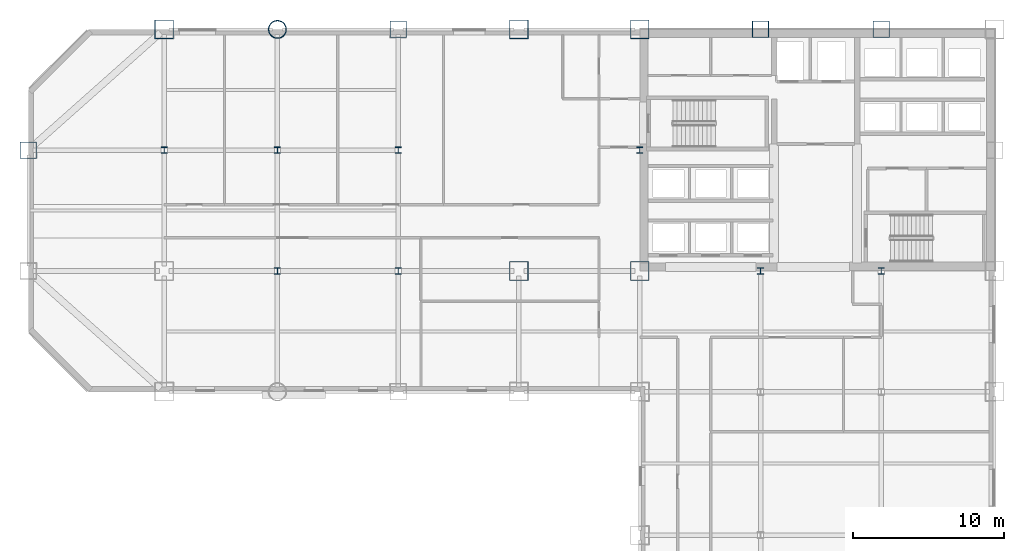
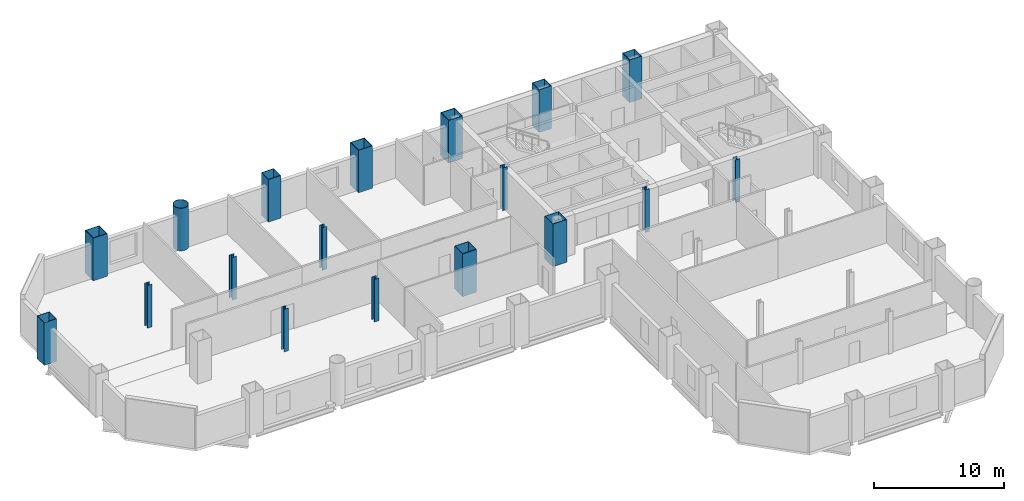
# One storey, part 2 of 9: 18 columns.
"""IFC4 building model written with IfcOpenShell, lengths in metres."""

from ifc_helpers import new_model, si_unit, direction, frame, origin, origin_2d, place, context, subcontext, project, spatial, hollow_rectangle, hollow_circle, i_section, extrude, material, material_profile, profile_set, type_object, element, save


model = new_model("IFC4")

# Units and contexts
model_context = context("Model", 3, precision=1e-05, world=origin(), true_north=direction((0.0, 1.0)))
body_context = subcontext(model_context, "Body", "Model", "MODEL_VIEW")
ifc_project = project(units=[si_unit("LENGTHUNIT", "METRE"), si_unit("AREAUNIT", "SQUARE_METRE"), si_unit("VOLUMEUNIT", "CUBIC_METRE"), si_unit("PLANEANGLEUNIT", "RADIAN"), si_unit("MASSUNIT", "GRAM", prefix="KILO")], contexts=[model_context])

# Site, building, storey
site_placement = place(None, origin())
site = spatial("IfcSite", under=ifc_project, at=site_placement, CompositionType="ELEMENT")
building_placement = place(site_placement, origin())
building = spatial("IfcBuilding", under=site, at=building_placement, Name="Qianrong Seaharbour Tower", CompositionType="ELEMENT")
storey_placement = place(building_placement, frame((0.0, 0.0, 84.199951171875)))
storey = spatial("IfcBuildingStorey", under=building, at=storey_placement, Name="L20", CompositionType="ELEMENT", Elevation=84.199951171875)

# Columns
ifc_material = material(Name="Structural steel SN490B", Category="steel")
ifc_material_profile_1 = material_profile(ifc_material, hollow_rectangle(XDim=1.25, YDim=1.25, WallThickness=0.044921875, at=origin_2d()), Name="BOX1250x1250x45")
ifc_profile_set_1 = profile_set([ifc_material_profile_1], Name="Structural steel SN490B")
column_type_1 = type_object("IfcColumnType", Name="COL-CFT-1250", PredefinedType="COLUMN", material=ifc_profile_set_1)
for number, where, z_axis, x_axis, name in (
    (1, (9.0, 52.0, 0.0), (0.0, 0.0, 1.0), (1.0, 0.0, 0.0), "L20 Column MC-2 at G2/GH"),
    (2, (32.5, 36.0, 0.0), (0.0, 0.0, 1.0), (1.0, 0.0, 0.0), "L20 Column MC-2 at G5/GF"),
    (3, (32.5, 52.0, 0.0), (0.0, 0.0, 1.0), (1.0, 0.0, 0.0), "L20 Column MC-2 at G5/GH"),
    (4, (40.5, 36.0, 0.0), (0.0, 0.0, 1.0), (1.0, 0.0, 0.0), "L20 Column MC-2 at G6/GF"),
    (5, (40.5, 52.0, 0.0), (0.0, 0.0, 1.0), (1.0, 0.0, 0.0), "L20 Column MC-2 at G6/GH"),
):
    element("IfcColumn", number, at=place(storey_placement, frame(where, z_axis=z_axis, x_axis=x_axis)), inside=storey, type_object=column_type_1, Name=name, PredefinedType="COLUMN", context=body_context, shape_type="SweptSolid", body=[
        extrude(hollow_rectangle(XDim=1.25, YDim=1.25, WallThickness=0.044921875, at=origin_2d()), origin(), (0.0, 0.0, 1.0), 4.0),
    ])
ifc_material_profile_2 = material_profile(ifc_material, hollow_circle(Radius=0.60009765625, WallThickness=0.0400390625, at=origin_2d()), Name="CHS1200x40")
ifc_profile_set_2 = profile_set([ifc_material_profile_2], Name="Structural steel SN490B")
column_type_2 = type_object("IfcColumnType", Name="COL-CHS-1200", PredefinedType="COLUMN", material=ifc_profile_set_2)
column_placement = place(storey_placement, frame((16.5, 52.0, 0.0), z_axis=(0.0, 0.0, 1.0), x_axis=(1.0, 0.0, 0.0)))
element("IfcColumn", 6, at=column_placement, inside=storey, type_object=column_type_2, Name="L20 Column CC-1 at G3/GH", PredefinedType="COLUMN", context=body_context, shape_type="SweptSolid", body=[
    extrude(hollow_circle(Radius=0.60009765625, WallThickness=0.0400390625, at=origin_2d()), origin(), (0.0, 0.0, 1.0), 4.0),
])
ifc_material_profile_3 = material_profile(ifc_material, i_section(OverallWidth=0.406982421875, OverallDepth=0.427978515625, WebThickness=0.02001953125, FlangeThickness=0.034912109375, FilletRadius=0.02197265625, at=origin_2d()), Name="H428x407x20x35")
ifc_profile_set_3 = profile_set([ifc_material_profile_3], Name="Structural steel SN490B")
column_type_3 = type_object("IfcColumnType", Name="COL-INT-H428", PredefinedType="COLUMN", material=ifc_profile_set_3)
for number, where, z_axis, x_axis, name in (
    (7, (9.0, 44.0, 0.0), (0.0, 0.0, 1.0), (1.0, 0.0, 0.0), "L20 Column IC-2 at G2/GG"),
    (8, (16.5, 36.0, 0.0), (0.0, 0.0, 1.0), (1.0, 0.0, 0.0), "L20 Column IC-2 at G3/GF"),
    (9, (16.5, 44.0, 0.0), (0.0, 0.0, 1.0), (1.0, 0.0, 0.0), "L20 Column IC-2 at G3/GG"),
    (10, (24.5, 36.0, 0.0), (0.0, 0.0, 1.0), (1.0, 0.0, 0.0), "L20 Column IC-2 at G4/GF"),
    (11, (24.5, 44.0, 0.0), (0.0, 0.0, 1.0), (1.0, 0.0, 0.0), "L20 Column IC-2 at G4/GG"),
    (12, (40.5, 44.0, 0.0), (0.0, 0.0, 1.0), (1.0, 0.0, 0.0), "L20 Column IC-2 at G6/GG"),
    (13, (48.5, 36.0, 0.0), (0.0, 0.0, 1.0), (1.0, 0.0, 0.0), "L20 Column IC-2 at G7/GF"),
    (14, (56.5, 36.0, 0.0), (0.0, 0.0, 1.0), (1.0, 0.0, 0.0), "L20 Column IC-2 at G8/GF"),
):
    element("IfcColumn", number, at=place(storey_placement, frame(where, z_axis=z_axis, x_axis=x_axis)), inside=storey, type_object=column_type_3, Name=name, PredefinedType="COLUMN", context=body_context, shape_type="SweptSolid", body=[
        extrude(i_section(OverallWidth=0.406982421875, OverallDepth=0.427978515625, WebThickness=0.02001953125, FlangeThickness=0.034912109375, FilletRadius=0.02197265625, at=origin_2d()), origin(), (0.0, 0.0, 1.0), 4.0),
    ])
ifc_material_profile_4 = material_profile(ifc_material, hollow_rectangle(XDim=1.10009765625, YDim=1.10009765625, WallThickness=0.0400390625, at=origin_2d()), Name="BOX1100x1100x40")
ifc_profile_set_4 = profile_set([ifc_material_profile_4], Name="Structural steel SN490B")
column_type_4 = type_object("IfcColumnType", Name="COL-PER-1100", PredefinedType="COLUMN", material=ifc_profile_set_4)
for number, where, z_axis, x_axis, name in (
    (15, (0.0, 44.0, 0.0), (0.0, 0.0, 1.0), (1.0, 0.0, 0.0), "L20 Column PC-1 at G1/GG"),
    (16, (24.5, 52.0, 0.0), (0.0, 0.0, 1.0), (1.0, 0.0, 0.0), "L20 Column PC-1 at G4/GH"),
    (17, (48.5, 52.0, 0.0), (0.0, 0.0, 1.0), (1.0, 0.0, 0.0), "L20 Column PC-1 at G7/GH"),
    (18, (56.5, 52.0, 0.0), (0.0, 0.0, 1.0), (1.0, 0.0, 0.0), "L20 Column PC-1 at G8/GH"),
):
    element("IfcColumn", number, at=place(storey_placement, frame(where, z_axis=z_axis, x_axis=x_axis)), inside=storey, type_object=column_type_4, Name=name, PredefinedType="COLUMN", context=body_context, shape_type="SweptSolid", body=[
        extrude(hollow_rectangle(XDim=1.10009765625, YDim=1.10009765625, WallThickness=0.0400390625, at=origin_2d()), origin(), (0.0, 0.0, 1.0), 4.0),
    ])

save(model, "model.ifc")
